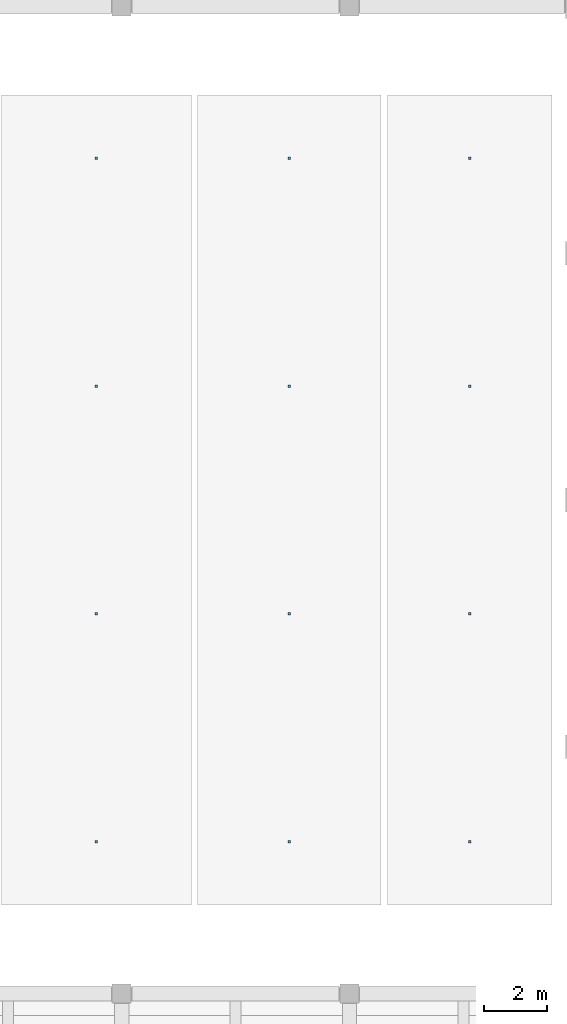
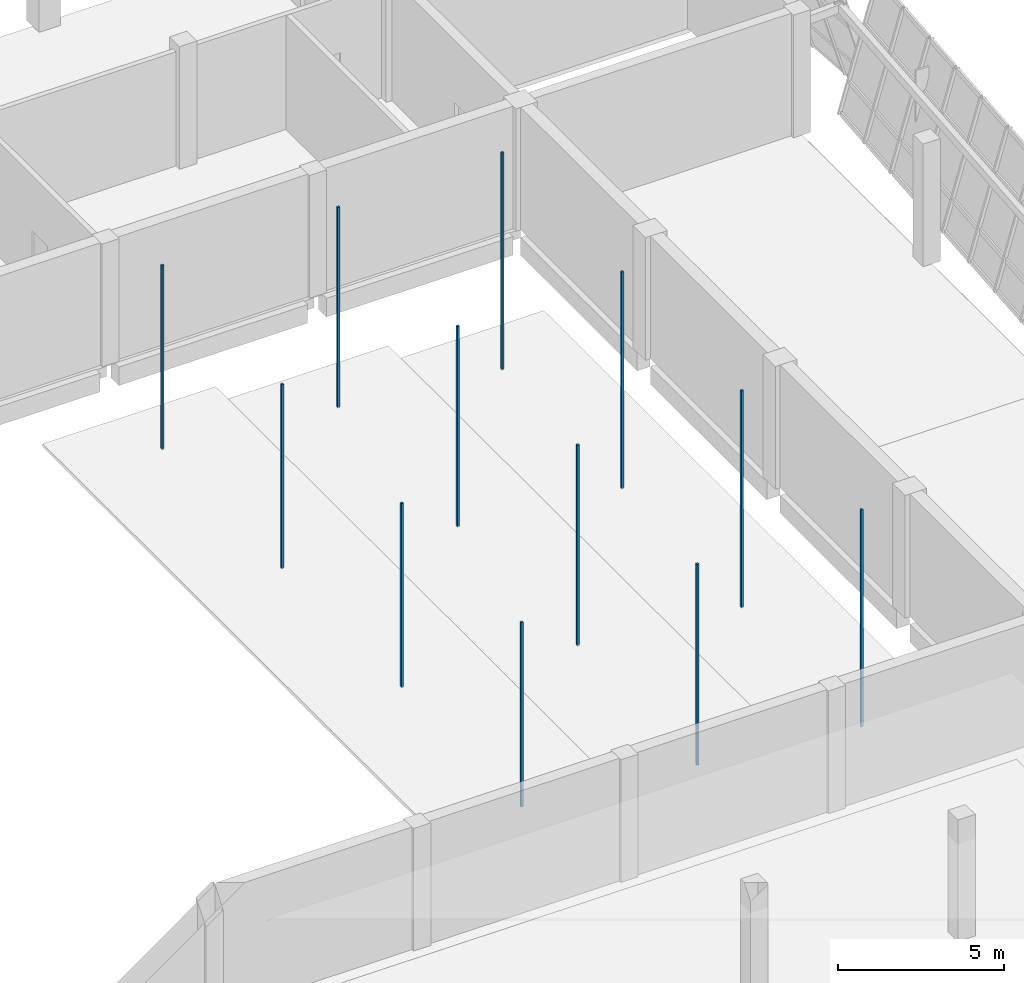
# One storey, part 62 of 71: 12 discrete accessories.
"""IFC4 building model written with IfcOpenShell, lengths in metres."""

import ifcopenshell
import ifcopenshell.guid

model = None  # the IFC model being written
_history = None  # IfcOwnerHistory: only IFC2X3 demands one
_inside = {}  # id of a spatial element -> (the spatial element, [elements in it])
_under = {}  # id of a project, library or spatial element -> (it, [spatial elements below it])
_declared = {}  # id of a project -> (the project, [libraries it declares])
_typed = {}  # id of a type object -> (the type object, [elements of that type])
_made_of = {}  # id of a material, layer set ... -> (it, [elements and type objects made of it])


def new_model(schema):
    """Start an empty IFC model of exactly this schema.

    Asked for "IFC4X3", IfcOpenShell would pick the latest addendum, in which some entities
    have other attributes; the version numbers below select the first issue.
    IFC2X3 requires an IfcOwnerHistory on every rooted entity: one is made here for all.
    """
    global model, _history
    if schema == "IFC4X3":
        model = ifcopenshell.file(schema_version=(4, 3, 0, 0))
    else:
        model = ifcopenshell.file(schema=schema)
    _inside.clear()
    _under.clear()
    _declared.clear()
    _typed.clear()
    _made_of.clear()
    _history = None
    if model.schema == "IFC2X3":
        org = make("IfcOrganization", Name="unknown")
        user = make(
            "IfcPersonAndOrganization",
            ThePerson=make("IfcPerson", FamilyName="unknown"),
            TheOrganization=org,
        )
        app = make(
            "IfcApplication",
            ApplicationDeveloper=org,
            Version="unknown",
            ApplicationFullName="unknown",
            ApplicationIdentifier="unknown",
        )
        _history = make(
            "IfcOwnerHistory",
            OwningUser=user,
            OwningApplication=app,
            ChangeAction="ADDED",
            CreationDate=0,
        )
    return model


def make(cls, **values):
    """One entity of the class cls with the attributes given. An attribute that is None is left unset."""
    return model.create_entity(
        cls, **{name: value for name, value in values.items() if value is not None}
    )


def rooted(cls, **values):
    """An entity with a GlobalId (a new one), such as an element, a storey or a relation."""
    return make(cls, GlobalId=ifcopenshell.guid.new(), OwnerHistory=_history, **values)


def si_unit(unit_type, name, prefix=None):
    """IfcSIUnit, for example si_unit("LENGTHUNIT", "METRE", prefix="MILLI")."""
    return make("IfcSIUnit", UnitType=unit_type, Prefix=prefix, Name=name)


def assignment(units):
    """IfcUnitAssignment: the units of a project."""
    return None if units is None else make("IfcUnitAssignment", Units=units)


def point(xyz):
    """IfcCartesianPoint."""
    return None if xyz is None else make("IfcCartesianPoint", Coordinates=xyz)


def direction(xyz):
    """IfcDirection."""
    return None if xyz is None else make("IfcDirection", DirectionRatios=xyz)


def frame(location, z_axis=None, x_axis=None):
    """IfcAxis2Placement3D, a coordinate frame: its origin and axes. An axis left out is left unset."""
    return make(
        "IfcAxis2Placement3D",
        Location=point(location),
        Axis=direction(z_axis),
        RefDirection=direction(x_axis),
    )


def frame_2d(location, x_axis=None):
    """IfcAxis2Placement2D, a coordinate frame in the plane: its origin and x axis."""
    return make(
        "IfcAxis2Placement2D", Location=point(location), RefDirection=direction(x_axis)
    )


def origin():
    """The frame at (0, 0, 0) with its axes left unset."""
    return frame((0.0, 0.0, 0.0))


def origin_2d():
    """The frame at (0, 0) in the plane with its x axis left unset."""
    return frame_2d((0.0, 0.0))


def place(relative_to, where):
    """IfcLocalPlacement: puts the frame where relative to a parent placement (None: the world)."""
    return make(
        "IfcLocalPlacement", PlacementRelTo=relative_to, RelativePlacement=where
    )


def context(
    kind, dimensions, precision=None, world=None, true_north=None, identifier=None
):
    """IfcGeometricRepresentationContext, for example the 3D "Model" context."""
    return make(
        "IfcGeometricRepresentationContext",
        ContextIdentifier=identifier,
        ContextType=kind,
        CoordinateSpaceDimension=dimensions,
        Precision=precision,
        WorldCoordinateSystem=world,
        TrueNorth=true_north,
    )


def subcontext(parent, identifier, kind, view, scale=None):
    """IfcGeometricRepresentationSubContext, for example "Body" below "Model"."""
    return make(
        "IfcGeometricRepresentationSubContext",
        ContextIdentifier=identifier,
        ContextType=kind,
        ParentContext=parent,
        TargetScale=scale,
        TargetView=view,
    )


def project(units=None, contexts=None):
    """IfcProject with its units and contexts."""
    return rooted(
        "IfcProject",
        Name="project",
        RepresentationContexts=contexts,
        UnitsInContext=assignment(units),
    )


def spatial(cls, under=None, at=None, **own):
    """A site, building, storey or space (cls), placed at a placement, below another one or the project."""
    s = rooted(cls, ObjectPlacement=at, **own)
    if under is not None:
        _under.setdefault(under.id(), (under, []))[1].append(s)
    return s


def profile(cls, at=None, kind="AREA", **sizes):
    """A parametric profile (cls). Its sizes go by their IFC names, for example OverallWidth=200.0."""
    return make(cls, ProfileType=kind, Position=at, **sizes)


def rectangle(**sizes):
    """IfcRectangleProfileDef."""
    return profile("IfcRectangleProfileDef", **sizes)


def extrude(swept, where, along, depth):
    """IfcExtrudedAreaSolid: the profile swept, set in the frame where, extruded along a direction by depth."""
    return make(
        "IfcExtrudedAreaSolid",
        SweptArea=swept,
        Position=where,
        ExtrudedDirection=direction(along),
        Depth=depth,
    )


def shape(context_of_items, identifier, shape_type, items):
    """IfcShapeRepresentation: the items that make up one representation, for example the "Body"."""
    return make(
        "IfcShapeRepresentation",
        ContextOfItems=context_of_items,
        RepresentationIdentifier=identifier,
        RepresentationType=shape_type,
        Items=items,
    )


def material(Name=None, Category=None):
    """IfcMaterial."""
    return make("IfcMaterial", Name=Name, Category=Category)


def made_of(thing, what):
    """Note that an element or type object is made of a material, layer set ...; save() writes the relation."""
    if what is not None:
        _made_of.setdefault(what.id(), (what, []))[1].append(thing)
    return thing


def type_object(cls, material=None, **own):
    """A type object (cls), such as IfcWallType, which elements share."""
    return made_of(rooted(cls, **own), material)


def element(
    cls,
    number,
    at=None,
    inside=None,
    cuts=None,
    type_object=None,
    material=None,
    context=None,
    identifier="Body",
    shape_type=None,
    held_by="IfcProductDefinitionShape",
    body=None,
    shapes=None,
    **own,
):
    """One element of the class cls, such as IfcWall. Its Tag is "e" and its number.

    at: its placement. inside: the storey or other place that contains it. cuts: it is an
    opening in that element (IfcRelVoidsElement). A single representation is given by context,
    identifier, shape_type and body (its items); several are given by shapes. held_by: the class
    of the entity that holds the representations. save() writes the other relations.
    """
    e = rooted(cls, Tag="e%d" % number, ObjectPlacement=at, **own)
    if body is not None:
        shapes = [shape(context, identifier, shape_type, body)]
    if shapes is not None:
        e.Representation = make(held_by, Representations=shapes)
    if inside is not None:
        _inside.setdefault(inside.id(), (inside, []))[1].append(e)
    if cuts is not None:
        rooted(
            "IfcRelVoidsElement", RelatingBuildingElement=cuts, RelatedOpeningElement=e
        )
    if type_object is not None:
        _typed.setdefault(type_object.id(), (type_object, []))[1].append(e)
    return made_of(e, material)


def aggregate(whole, parts):
    """IfcRelAggregates: a whole, such as a stair, and the parts it consists of."""
    return rooted("IfcRelAggregates", RelatingObject=whole, RelatedObjects=parts)


def save(model, path):
    """Write the relations noted so far, then the file.

    IfcRelAggregates (storeys below a building ...), IfcRelContainedInSpatialStructure (elements
    in a storey), IfcRelDefinesByType, IfcRelAssociatesMaterial and IfcRelDeclares: one each for
    every whole, place, type object, material and project.
    """
    for whole, parts in _under.values():
        aggregate(whole, parts)
    for where, things in _inside.values():
        rooted(
            "IfcRelContainedInSpatialStructure",
            RelatedElements=things,
            RelatingStructure=where,
        )
    for kind, things in _typed.values():
        rooted("IfcRelDefinesByType", RelatedObjects=things, RelatingType=kind)
    for what, things in _made_of.values():
        rooted("IfcRelAssociatesMaterial", RelatedObjects=things, RelatingMaterial=what)
    for by, libraries in _declared.values():
        rooted("IfcRelDeclares", RelatingContext=by, RelatedDefinitions=libraries)
    model.write(path)


model = new_model("IFC4")

# Units and contexts
model_context = context("Model", 3, precision=1e-05, world=origin(), true_north=direction((0.0, 1.0)))
body_context = subcontext(model_context, "Body", "Model", "MODEL_VIEW")
ifc_project = project(units=[si_unit("LENGTHUNIT", "METRE"), si_unit("AREAUNIT", "SQUARE_METRE"), si_unit("VOLUMEUNIT", "CUBIC_METRE"), si_unit("PLANEANGLEUNIT", "RADIAN"), si_unit("MASSUNIT", "GRAM", prefix="KILO")], contexts=[model_context])

# Site, building, storey
site_placement = place(None, origin())
site = spatial("IfcSite", under=ifc_project, at=site_placement, CompositionType="ELEMENT")
building_placement = place(site_placement, origin())
building = spatial("IfcBuilding", under=site, at=building_placement, Name="Pellamere Symphony Hall", CompositionType="ELEMENT")
storey_placement = place(building_placement, frame((0.0, 0.0, 15.0)))
storey = spatial("IfcBuildingStorey", under=building, at=storey_placement, Name="L03", CompositionType="ELEMENT", Elevation=15.0)

# Discrete accessories
ifc_material = material(Name="Steel CSA G40.21 350W", Category="steel")
discrete_accessory_type = type_object("IfcDiscreteAccessoryType", Name="Acoustic Canopy Hanger Rod BRK-01", PredefinedType="BRACKET", material=ifc_material)
for number, where, z_axis, x_axis, name in (
    (1, (94.0, 51.0, -0.1201171875), (0.0, 0.0, 1.0), (1.0, 0.0, 0.0), "Acoustic Canopy Suspension Rod 1.1"),
    (2, (94.0, 58.199951171875, -0.1201171875), (0.0, 0.0, 1.0), (1.0, 0.0, 0.0), "Acoustic Canopy Suspension Rod 1.2"),
    (3, (94.0, 65.39990234375, -0.1201171875), (0.0, 0.0, 1.0), (1.0, 0.0, 0.0), "Acoustic Canopy Suspension Rod 1.3"),
    (4, (94.0, 72.60009765625, -0.1201171875), (0.0, 0.0, 1.0), (1.0, 0.0, 0.0), "Acoustic Canopy Suspension Rod 1.4"),
):
    element("IfcDiscreteAccessory", number, at=place(storey_placement, frame(where, z_axis=z_axis, x_axis=x_axis)), inside=storey, type_object=discrete_accessory_type, Name=name, PredefinedType="BRACKET", context=body_context, shape_type="SweptSolid", body=[
        extrude(rectangle(XDim=0.080078125, YDim=0.080078125, at=origin_2d()), origin(), (0.0, 0.0, 1.0), 6.77001953125),
    ])
for number, where, z_axis, x_axis, name in (
    (5, (100.10009765625, 51.0, -0.719970703125), (0.0, 0.0, 1.0), (1.0, 0.0, 0.0), "Acoustic Canopy Suspension Rod 2.1"),
    (6, (100.10009765625, 58.199951171875, -0.719970703125), (0.0, 0.0, 1.0), (1.0, 0.0, 0.0), "Acoustic Canopy Suspension Rod 2.2"),
    (7, (100.10009765625, 65.39990234375, -0.719970703125), (0.0, 0.0, 1.0), (1.0, 0.0, 0.0), "Acoustic Canopy Suspension Rod 2.3"),
    (8, (100.10009765625, 72.60009765625, -0.719970703125), (0.0, 0.0, 1.0), (1.0, 0.0, 0.0), "Acoustic Canopy Suspension Rod 2.4"),
):
    element("IfcDiscreteAccessory", number, at=place(storey_placement, frame(where, z_axis=z_axis, x_axis=x_axis)), inside=storey, type_object=discrete_accessory_type, Name=name, PredefinedType="BRACKET", context=body_context, shape_type="SweptSolid", body=[
        extrude(rectangle(XDim=0.080078125, YDim=0.080078125, at=origin_2d()), origin(), (0.0, 0.0, 1.0), 7.3701171875),
    ])
for number, where, z_axis, x_axis, name in (
    (9, (105.800048828125, 51.0, -1.31982421875), (0.0, 0.0, 1.0), (1.0, 0.0, 0.0), "Acoustic Canopy Suspension Rod 3.1"),
    (10, (105.800048828125, 58.199951171875, -1.31982421875), (0.0, 0.0, 1.0), (1.0, 0.0, 0.0), "Acoustic Canopy Suspension Rod 3.2"),
    (11, (105.800048828125, 65.39990234375, -1.31982421875), (0.0, 0.0, 1.0), (1.0, 0.0, 0.0), "Acoustic Canopy Suspension Rod 3.3"),
    (12, (105.800048828125, 72.60009765625, -1.31982421875), (0.0, 0.0, 1.0), (1.0, 0.0, 0.0), "Acoustic Canopy Suspension Rod 3.4"),
):
    element("IfcDiscreteAccessory", number, at=place(storey_placement, frame(where, z_axis=z_axis, x_axis=x_axis)), inside=storey, type_object=discrete_accessory_type, Name=name, PredefinedType="BRACKET", context=body_context, shape_type="SweptSolid", body=[
        extrude(rectangle(XDim=0.080078125, YDim=0.080078125, at=origin_2d()), origin(), (0.0, 0.0, 1.0), 7.969970703125),
    ])

save(model, "model.ifc")
